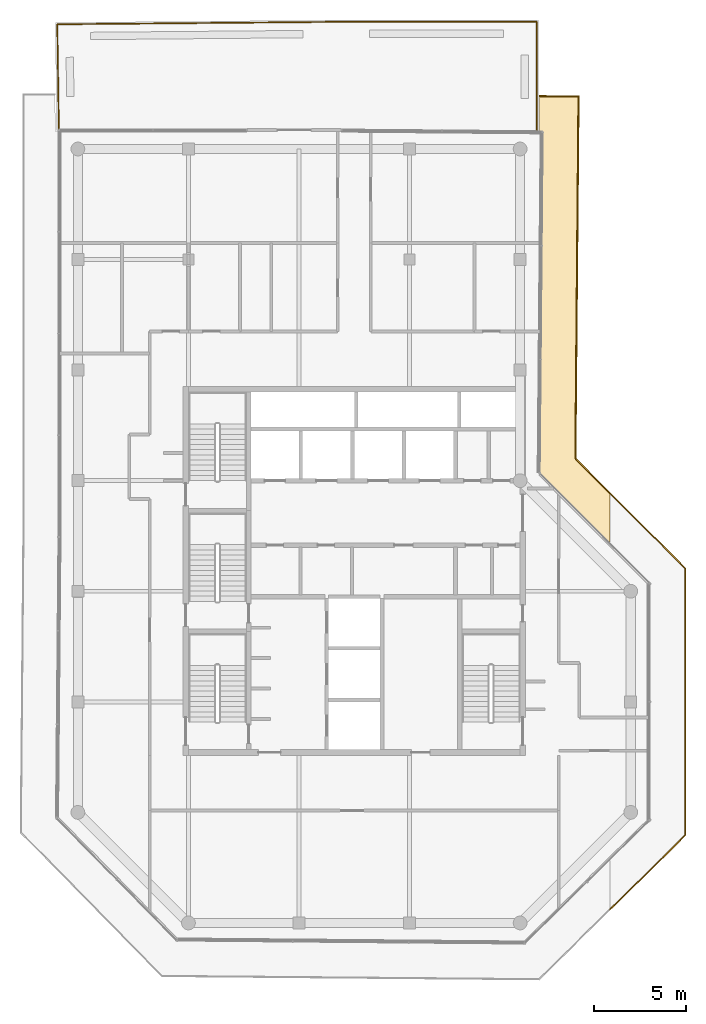
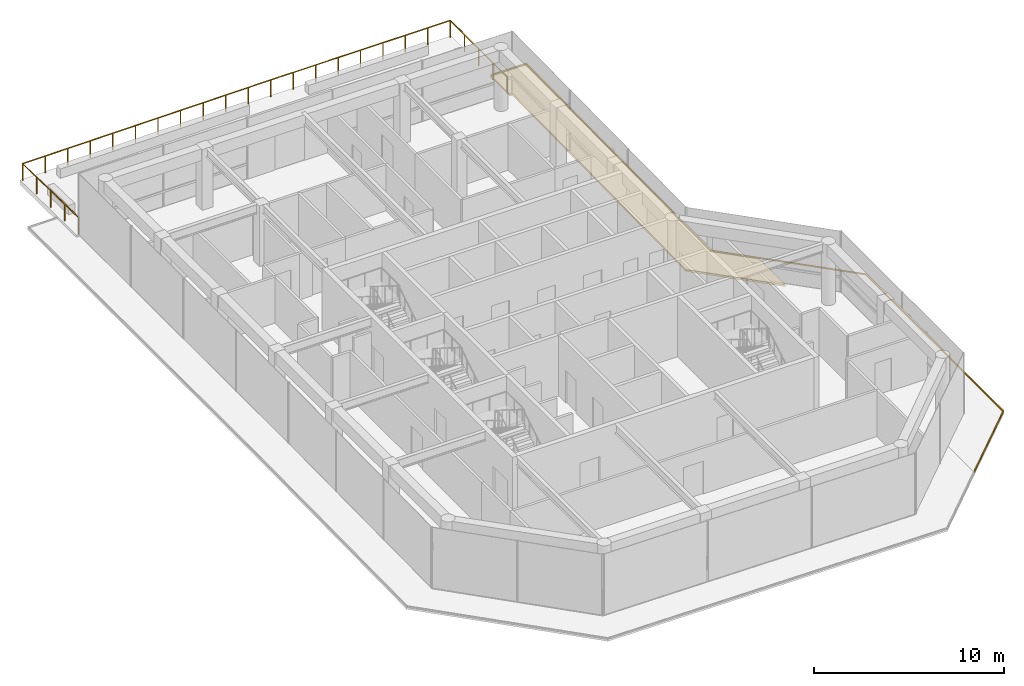
# One storey, part 17 of 17: 3 coverings, 1 railing.
"""IFC4 building model written with IfcOpenShell, lengths in metres."""

from ifc_helpers import new_model, si_unit, direction, frame, origin, origin_2d, place, context, subcontext, project, spatial, polyline, circle, outline, extrude, material, layer, layer_set, type_object, element, save


model = new_model("IFC4")

# Units and contexts
model_context = context("Model", 3, precision=1e-05, world=origin(), true_north=direction((0.0, 1.0)))
body_context = subcontext(model_context, "Body", "Model", "MODEL_VIEW")
ifc_project = project(units=[si_unit("LENGTHUNIT", "METRE"), si_unit("AREAUNIT", "SQUARE_METRE"), si_unit("VOLUMEUNIT", "CUBIC_METRE"), si_unit("PLANEANGLEUNIT", "RADIAN"), si_unit("MASSUNIT", "GRAM", prefix="KILO")], contexts=[model_context])

# Site, building, storey
site_placement = place(None, origin())
site = spatial("IfcSite", under=ifc_project, at=site_placement, CompositionType="ELEMENT")
building_placement = place(site_placement, origin())
building = spatial("IfcBuilding", under=site, at=building_placement, Name="Welwitschia Terrace Campus", CompositionType="ELEMENT")
storey_placement = place(building_placement, frame((0.0, 0.0, 335.60009765625)))
storey = spatial("IfcBuildingStorey", under=building, at=storey_placement, Name="L75", CompositionType="ELEMENT", Elevation=335.60009765625)

# Railing
ifc_material_1 = material(Name="Stainless steel grade 316", Category="steel")
railing_type = type_object("IfcRailingType", Name="Guard 1100", PredefinedType="GUARDRAIL", material=ifc_material_1)
railing_placement = place(storey_placement, frame((-1.030029296875, 39.030029296875, 0.0)))
element("IfcRailing", 1, at=railing_placement, inside=storey, type_object=railing_type, Name="Guard terrace L75:0:0.0", PredefinedType="GUARDRAIL", context=body_context, shape_type="SweptSolid", body=[
    extrude(circle(Radius=0.02392578125, at=origin_2d()), frame((0.0, 0.0, 1.076171875), z_axis=(-0.015486186273, 0.999880081827, 0.0), x_axis=(-0.999880081827, -0.015486186273, 0.0)), (0.0, 0.0, 1.0), 5.738525390625),
    extrude(circle(Radius=0.02392578125, at=origin_2d()), frame((-0.0888671875, 5.73779296875, 1.076171875), z_axis=(0.999961910213, 0.008728008025, 0.0), x_axis=(-0.008728008025, 0.999961910213, 0.0)), (0.0, 0.0, 1.0), 15.1328125),
    extrude(circle(Radius=0.02392578125, at=origin_2d()), frame((15.04345703125, 5.869873046875, 1.076171875), z_axis=(1.0, 0.0, 0.0), x_axis=(0.0, 1.0, 0.0)), (0.0, 0.0, 1.0), 10.886474609375),
    extrude(circle(Radius=0.02392578125, at=origin_2d()), frame((25.929931640625, 5.869873046875, 1.076171875), z_axis=(-0.000122840061, -0.999999992455, 0.0), x_axis=(0.999999992455, -0.000122840061, 0.0)), (0.0, 0.0, 1.0), 5.96240234375),
    extrude(circle(Radius=0.02099609375, at=origin_2d()), origin(), (0.0, 0.0, 1.0), 1.052001953125),
    extrude(circle(Radius=0.02099609375, at=origin_2d()), frame((-0.022216796875, 1.4345703125, 0.0)), (0.0, 0.0, 1.0), 1.052001953125),
    extrude(circle(Radius=0.02099609375, at=origin_2d()), frame((-0.04443359375, 2.868896484375, 0.0)), (0.0, 0.0, 1.0), 1.052001953125),
    extrude(circle(Radius=0.02099609375, at=origin_2d()), frame((-0.066650390625, 4.30322265625, 0.0)), (0.0, 0.0, 1.0), 1.052001953125),
    extrude(circle(Radius=0.02099609375, at=origin_2d()), frame((-0.0888671875, 5.73779296875, 0.0)), (0.0, 0.0, 1.0), 1.052001953125),
    extrude(circle(Radius=0.02099609375, at=origin_2d()), frame((1.286865234375, 5.749755859375, 0.0)), (0.0, 0.0, 1.0), 1.052001953125),
    extrude(circle(Radius=0.02099609375, at=origin_2d()), frame((2.662353515625, 5.76171875, 0.0)), (0.0, 0.0, 1.0), 1.052001953125),
    extrude(circle(Radius=0.02099609375, at=origin_2d()), frame((4.0380859375, 5.77392578125, 0.0)), (0.0, 0.0, 1.0), 1.052001953125),
    extrude(circle(Radius=0.02099609375, at=origin_2d()), frame((5.413818359375, 5.785888671875, 0.0)), (0.0, 0.0, 1.0), 1.052001953125),
    extrude(circle(Radius=0.02099609375, at=origin_2d()), frame((6.78955078125, 5.7978515625, 0.0)), (0.0, 0.0, 1.0), 1.052001953125),
    extrude(circle(Radius=0.02099609375, at=origin_2d()), frame((8.1650390625, 5.809814453125, 0.0)), (0.0, 0.0, 1.0), 1.052001953125),
    extrude(circle(Radius=0.02099609375, at=origin_2d()), frame((9.540771484375, 5.82177734375, 0.0)), (0.0, 0.0, 1.0), 1.052001953125),
    extrude(circle(Radius=0.02099609375, at=origin_2d()), frame((10.91650390625, 5.833740234375, 0.0)), (0.0, 0.0, 1.0), 1.052001953125),
    extrude(circle(Radius=0.02099609375, at=origin_2d()), frame((12.292236328125, 5.845947265625, 0.0)), (0.0, 0.0, 1.0), 1.052001953125),
    extrude(circle(Radius=0.02099609375, at=origin_2d()), frame((13.667724609375, 5.85791015625, 0.0)), (0.0, 0.0, 1.0), 1.052001953125),
    extrude(circle(Radius=0.02099609375, at=origin_2d()), frame((15.04345703125, 5.869873046875, 0.0)), (0.0, 0.0, 1.0), 1.052001953125),
    extrude(circle(Radius=0.02099609375, at=origin_2d()), frame((16.404296875, 5.869873046875, 0.0)), (0.0, 0.0, 1.0), 1.052001953125),
    extrude(circle(Radius=0.02099609375, at=origin_2d()), frame((17.76513671875, 5.869873046875, 0.0)), (0.0, 0.0, 1.0), 1.052001953125),
    extrude(circle(Radius=0.02099609375, at=origin_2d()), frame((19.1259765625, 5.869873046875, 0.0)), (0.0, 0.0, 1.0), 1.052001953125),
    extrude(circle(Radius=0.02099609375, at=origin_2d()), frame((20.48681640625, 5.869873046875, 0.0)), (0.0, 0.0, 1.0), 1.052001953125),
    extrude(circle(Radius=0.02099609375, at=origin_2d()), frame((21.847412109375, 5.869873046875, 0.0)), (0.0, 0.0, 1.0), 1.052001953125),
    extrude(circle(Radius=0.02099609375, at=origin_2d()), frame((23.208251953125, 5.869873046875, 0.0)), (0.0, 0.0, 1.0), 1.052001953125),
    extrude(circle(Radius=0.02099609375, at=origin_2d()), frame((24.569091796875, 5.869873046875, 0.0)), (0.0, 0.0, 1.0), 1.052001953125),
    extrude(circle(Radius=0.02099609375, at=origin_2d()), frame((25.929931640625, 5.869873046875, 0.0)), (0.0, 0.0, 1.0), 1.052001953125),
    extrude(circle(Radius=0.02099609375, at=origin_2d()), frame((25.9296875, 4.37939453125, 0.0)), (0.0, 0.0, 1.0), 1.052001953125),
    extrude(circle(Radius=0.02099609375, at=origin_2d()), frame((25.9296875, 2.888671875, 0.0)), (0.0, 0.0, 1.0), 1.052001953125),
    extrude(circle(Radius=0.02099609375, at=origin_2d()), frame((25.929443359375, 1.39794921875, 0.0)), (0.0, 0.0, 1.0), 1.052001953125),
    extrude(circle(Radius=0.02099609375, at=origin_2d()), frame((25.92919921875, -0.092529296875, 0.0)), (0.0, 0.0, 1.0), 1.052001953125),
])

# Coverings
ifc_material_2 = material(Name="Bronze anodised aluminium", Category="aluminium")
ifc_layer_1 = layer(ifc_material_2, 0.1201171875)
ifc_layer_set_1 = layer_set([ifc_layer_1], Name="Bronze anodised aluminium")
covering_type_1 = type_object("IfcCoveringType", Name="Sunshade band 2000", PredefinedType="USERDEFINED", material=ifc_layer_set_1)
covering_1_placement = place(storey_placement, frame((0.0, 0.0, -0.2001953125)))
element("IfcCovering", 2, at=covering_1_placement, inside=storey, type_object=covering_type_1, Name="SUNSHADE L75.SW0", ObjectType="SUNSHADE", PredefinedType="USERDEFINED", context=body_context, shape_type="SweptSolid", body=[
    extrude(outline(polyline([(28.8671875, 19.37548828125), (28.8671875, 16.547119140625), (25.031005859375, 20.38330078125), (25.192626953125, 38.90478515625), (25.050048828125, 38.90625), (25.050048828125, 40.90625), (27.2099609375, 40.887451171875), (27.038330078125, 21.204345703125), (28.8671875, 19.37548828125)])), origin(), (0.0, 0.0, 1.0), 0.1201171875),
])
ifc_material_3 = material(Name="Bronze anodised aluminium", Category="aluminium")
ifc_layer_2 = layer(ifc_material_3, 0.06005859375)
ifc_layer_set_2 = layer_set([ifc_layer_2], Name="Bronze anodised aluminium")
covering_type_2 = type_object("IfcCoveringType", Name="Sunshade lip 60", PredefinedType="USERDEFINED", material=ifc_layer_set_2)
covering_2_placement = place(storey_placement, frame((0.0, 0.0, -0.080078125)))
element("IfcCovering", 3, at=covering_2_placement, inside=storey, type_object=covering_type_2, Name="SUNSHADE LIP L75.SW0.0", ObjectType="SUNSHADE", PredefinedType="USERDEFINED", context=body_context, shape_type="SweptSolid", body=[
    extrude(outline(polyline([(28.8671875, 19.29052734375), (26.97802734375, 21.1796875), (27.1494140625, 40.827880859375), (25.050048828125, 40.84619140625), (25.050048828125, 40.90625), (27.2099609375, 40.887451171875), (27.038330078125, 21.204345703125), (28.8671875, 19.37548828125), (28.8671875, 19.29052734375)])), origin(), (0.0, 0.0, 1.0), 0.080078125),
])
covering_3_placement = place(storey_placement, frame((0.0, 0.0, -0.080078125)))
element("IfcCovering", 4, at=covering_3_placement, inside=storey, type_object=covering_type_2, Name="SUNSHADE LIP L75.SE0.0", ObjectType="SUNSHADE", PredefinedType="USERDEFINED", context=body_context, shape_type="SweptSolid", body=[
    extrude(outline(polyline([(33.0, 0.748291015625), (28.8671875, -3.32177734375), (28.8671875, -3.237548828125), (32.93994140625, 0.7734375), (32.93994140625, 15.2177734375), (28.8671875, 19.29052734375), (28.8671875, 19.37548828125), (33.0, 15.24267578125), (33.0, 0.748291015625)])), origin(), (0.0, 0.0, 1.0), 0.080078125),
])

save(model, "model.ifc")
